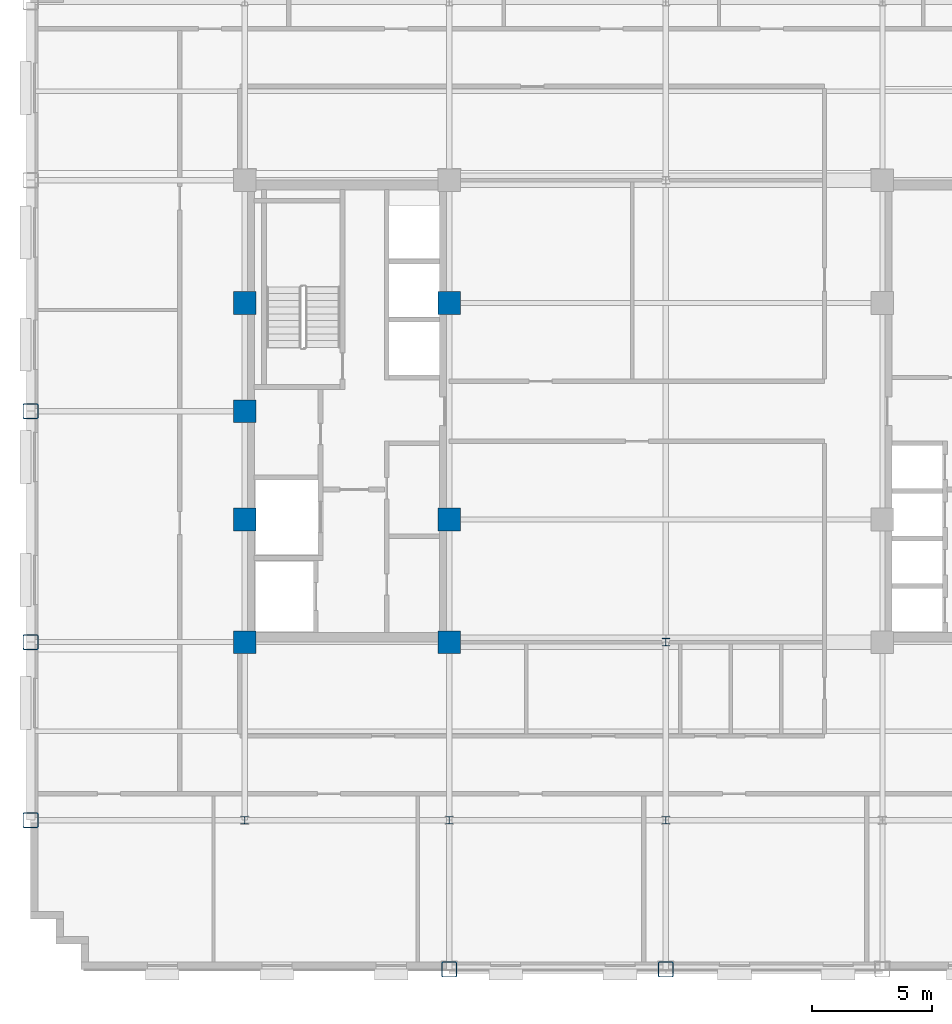
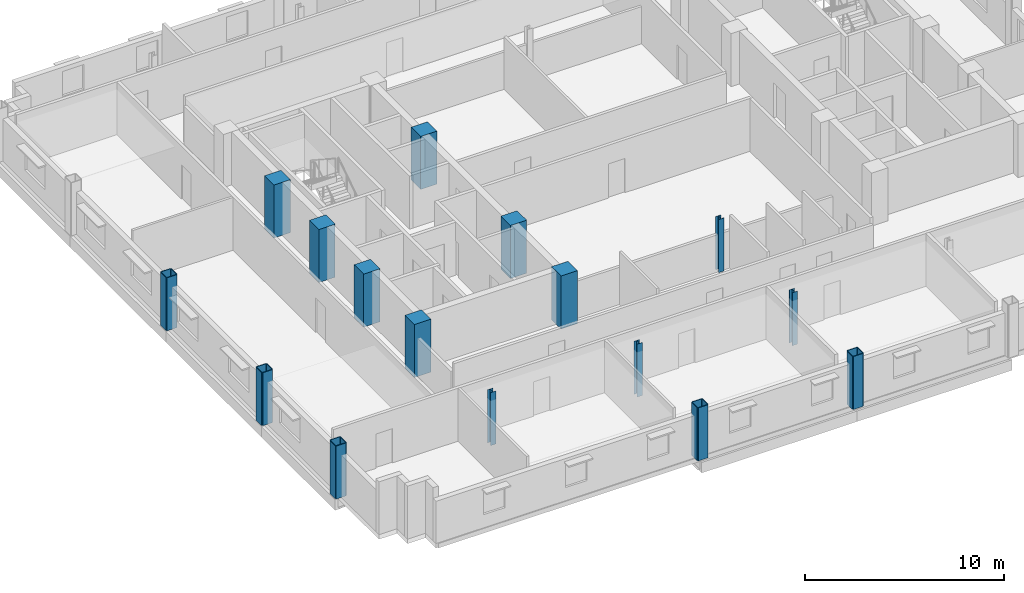
# One storey, part 1 of 14: 16 columns.
"""IFC4 building model written with IfcOpenShell, lengths in metres."""

import ifcopenshell
import ifcopenshell.guid

model = None  # the IFC model being written
_history = None  # IfcOwnerHistory: only IFC2X3 demands one
_inside = {}  # id of a spatial element -> (the spatial element, [elements in it])
_under = {}  # id of a project, library or spatial element -> (it, [spatial elements below it])
_declared = {}  # id of a project -> (the project, [libraries it declares])
_typed = {}  # id of a type object -> (the type object, [elements of that type])
_made_of = {}  # id of a material, layer set ... -> (it, [elements and type objects made of it])


def new_model(schema):
    """Start an empty IFC model of exactly this schema.

    Asked for "IFC4X3", IfcOpenShell would pick the latest addendum, in which some entities
    have other attributes; the version numbers below select the first issue.
    IFC2X3 requires an IfcOwnerHistory on every rooted entity: one is made here for all.
    """
    global model, _history
    if schema == "IFC4X3":
        model = ifcopenshell.file(schema_version=(4, 3, 0, 0))
    else:
        model = ifcopenshell.file(schema=schema)
    _inside.clear()
    _under.clear()
    _declared.clear()
    _typed.clear()
    _made_of.clear()
    _history = None
    if model.schema == "IFC2X3":
        org = make("IfcOrganization", Name="unknown")
        user = make(
            "IfcPersonAndOrganization",
            ThePerson=make("IfcPerson", FamilyName="unknown"),
            TheOrganization=org,
        )
        app = make(
            "IfcApplication",
            ApplicationDeveloper=org,
            Version="unknown",
            ApplicationFullName="unknown",
            ApplicationIdentifier="unknown",
        )
        _history = make(
            "IfcOwnerHistory",
            OwningUser=user,
            OwningApplication=app,
            ChangeAction="ADDED",
            CreationDate=0,
        )
    return model


def make(cls, **values):
    """One entity of the class cls with the attributes given. An attribute that is None is left unset."""
    return model.create_entity(
        cls, **{name: value for name, value in values.items() if value is not None}
    )


def rooted(cls, **values):
    """An entity with a GlobalId (a new one), such as an element, a storey or a relation."""
    return make(cls, GlobalId=ifcopenshell.guid.new(), OwnerHistory=_history, **values)


def si_unit(unit_type, name, prefix=None):
    """IfcSIUnit, for example si_unit("LENGTHUNIT", "METRE", prefix="MILLI")."""
    return make("IfcSIUnit", UnitType=unit_type, Prefix=prefix, Name=name)


def assignment(units):
    """IfcUnitAssignment: the units of a project."""
    return None if units is None else make("IfcUnitAssignment", Units=units)


def point(xyz):
    """IfcCartesianPoint."""
    return None if xyz is None else make("IfcCartesianPoint", Coordinates=xyz)


def direction(xyz):
    """IfcDirection."""
    return None if xyz is None else make("IfcDirection", DirectionRatios=xyz)


def frame(location, z_axis=None, x_axis=None):
    """IfcAxis2Placement3D, a coordinate frame: its origin and axes. An axis left out is left unset."""
    return make(
        "IfcAxis2Placement3D",
        Location=point(location),
        Axis=direction(z_axis),
        RefDirection=direction(x_axis),
    )


def frame_2d(location, x_axis=None):
    """IfcAxis2Placement2D, a coordinate frame in the plane: its origin and x axis."""
    return make(
        "IfcAxis2Placement2D", Location=point(location), RefDirection=direction(x_axis)
    )


def origin():
    """The frame at (0, 0, 0) with its axes left unset."""
    return frame((0.0, 0.0, 0.0))


def origin_2d():
    """The frame at (0, 0) in the plane with its x axis left unset."""
    return frame_2d((0.0, 0.0))


def place(relative_to, where):
    """IfcLocalPlacement: puts the frame where relative to a parent placement (None: the world)."""
    return make(
        "IfcLocalPlacement", PlacementRelTo=relative_to, RelativePlacement=where
    )


def context(
    kind, dimensions, precision=None, world=None, true_north=None, identifier=None
):
    """IfcGeometricRepresentationContext, for example the 3D "Model" context."""
    return make(
        "IfcGeometricRepresentationContext",
        ContextIdentifier=identifier,
        ContextType=kind,
        CoordinateSpaceDimension=dimensions,
        Precision=precision,
        WorldCoordinateSystem=world,
        TrueNorth=true_north,
    )


def subcontext(parent, identifier, kind, view, scale=None):
    """IfcGeometricRepresentationSubContext, for example "Body" below "Model"."""
    return make(
        "IfcGeometricRepresentationSubContext",
        ContextIdentifier=identifier,
        ContextType=kind,
        ParentContext=parent,
        TargetScale=scale,
        TargetView=view,
    )


def project(units=None, contexts=None):
    """IfcProject with its units and contexts."""
    return rooted(
        "IfcProject",
        Name="project",
        RepresentationContexts=contexts,
        UnitsInContext=assignment(units),
    )


def spatial(cls, under=None, at=None, **own):
    """A site, building, storey or space (cls), placed at a placement, below another one or the project."""
    s = rooted(cls, ObjectPlacement=at, **own)
    if under is not None:
        _under.setdefault(under.id(), (under, []))[1].append(s)
    return s


def profile(cls, at=None, kind="AREA", **sizes):
    """A parametric profile (cls). Its sizes go by their IFC names, for example OverallWidth=200.0."""
    return make(cls, ProfileType=kind, Position=at, **sizes)


def rectangle(**sizes):
    """IfcRectangleProfileDef."""
    return profile("IfcRectangleProfileDef", **sizes)


def hollow_rectangle(**sizes):
    """IfcRectangleHollowProfileDef."""
    return profile("IfcRectangleHollowProfileDef", **sizes)


def i_section(**sizes):
    """IfcIShapeProfileDef."""
    return profile("IfcIShapeProfileDef", **sizes)


def extrude(swept, where, along, depth):
    """IfcExtrudedAreaSolid: the profile swept, set in the frame where, extruded along a direction by depth."""
    return make(
        "IfcExtrudedAreaSolid",
        SweptArea=swept,
        Position=where,
        ExtrudedDirection=direction(along),
        Depth=depth,
    )


def shape(context_of_items, identifier, shape_type, items):
    """IfcShapeRepresentation: the items that make up one representation, for example the "Body"."""
    return make(
        "IfcShapeRepresentation",
        ContextOfItems=context_of_items,
        RepresentationIdentifier=identifier,
        RepresentationType=shape_type,
        Items=items,
    )


def material(Name=None, Category=None):
    """IfcMaterial."""
    return make("IfcMaterial", Name=Name, Category=Category)


def material_profile(
    of_material, cross_section, Name=None, Category=None, Priority=None
):
    """IfcMaterialProfile: a cross section and its material."""
    return make(
        "IfcMaterialProfile",
        Name=Name,
        Material=of_material,
        Profile=cross_section,
        Priority=Priority,
        Category=Category,
    )


def profile_set(profiles, Name=None, composite=None):
    """IfcMaterialProfileSet."""
    return make(
        "IfcMaterialProfileSet",
        Name=Name,
        MaterialProfiles=profiles,
        CompositeProfile=composite,
    )


def made_of(thing, what):
    """Note that an element or type object is made of a material, layer set ...; save() writes the relation."""
    if what is not None:
        _made_of.setdefault(what.id(), (what, []))[1].append(thing)
    return thing


def type_object(cls, material=None, **own):
    """A type object (cls), such as IfcWallType, which elements share."""
    return made_of(rooted(cls, **own), material)


def element(
    cls,
    number,
    at=None,
    inside=None,
    cuts=None,
    type_object=None,
    material=None,
    context=None,
    identifier="Body",
    shape_type=None,
    held_by="IfcProductDefinitionShape",
    body=None,
    shapes=None,
    **own,
):
    """One element of the class cls, such as IfcWall. Its Tag is "e" and its number.

    at: its placement. inside: the storey or other place that contains it. cuts: it is an
    opening in that element (IfcRelVoidsElement). A single representation is given by context,
    identifier, shape_type and body (its items); several are given by shapes. held_by: the class
    of the entity that holds the representations. save() writes the other relations.
    """
    e = rooted(cls, Tag="e%d" % number, ObjectPlacement=at, **own)
    if body is not None:
        shapes = [shape(context, identifier, shape_type, body)]
    if shapes is not None:
        e.Representation = make(held_by, Representations=shapes)
    if inside is not None:
        _inside.setdefault(inside.id(), (inside, []))[1].append(e)
    if cuts is not None:
        rooted(
            "IfcRelVoidsElement", RelatingBuildingElement=cuts, RelatedOpeningElement=e
        )
    if type_object is not None:
        _typed.setdefault(type_object.id(), (type_object, []))[1].append(e)
    return made_of(e, material)


def aggregate(whole, parts):
    """IfcRelAggregates: a whole, such as a stair, and the parts it consists of."""
    return rooted("IfcRelAggregates", RelatingObject=whole, RelatedObjects=parts)


def save(model, path):
    """Write the relations noted so far, then the file.

    IfcRelAggregates (storeys below a building ...), IfcRelContainedInSpatialStructure (elements
    in a storey), IfcRelDefinesByType, IfcRelAssociatesMaterial and IfcRelDeclares: one each for
    every whole, place, type object, material and project.
    """
    for whole, parts in _under.values():
        aggregate(whole, parts)
    for where, things in _inside.values():
        rooted(
            "IfcRelContainedInSpatialStructure",
            RelatedElements=things,
            RelatingStructure=where,
        )
    for kind, things in _typed.values():
        rooted("IfcRelDefinesByType", RelatedObjects=things, RelatingType=kind)
    for what, things in _made_of.values():
        rooted("IfcRelAssociatesMaterial", RelatedObjects=things, RelatingMaterial=what)
    for by, libraries in _declared.values():
        rooted("IfcRelDeclares", RelatingContext=by, RelatedDefinitions=libraries)
    model.write(path)


model = new_model("IFC4")

# Units and contexts
model_context = context("Model", 3, precision=1e-05, world=origin(), true_north=direction((0.0, 1.0)))
body_context = subcontext(model_context, "Body", "Model", "MODEL_VIEW")
ifc_project = project(units=[si_unit("LENGTHUNIT", "METRE"), si_unit("AREAUNIT", "SQUARE_METRE"), si_unit("VOLUMEUNIT", "CUBIC_METRE"), si_unit("PLANEANGLEUNIT", "RADIAN"), si_unit("MASSUNIT", "GRAM", prefix="KILO")], contexts=[model_context])

# Site, building, storey
site_placement = place(None, origin())
site = spatial("IfcSite", under=ifc_project, at=site_placement, CompositionType="ELEMENT")
building_placement = place(site_placement, origin())
building = spatial("IfcBuilding", under=site, at=building_placement, Name="Nuvemarco Arch Tower", CompositionType="ELEMENT")
storey_placement = place(building_placement, frame((0.0, 0.0, 182.25)))
storey = spatial("IfcBuildingStorey", under=building, at=storey_placement, Name="L48", CompositionType="ELEMENT", Elevation=182.25)

# Columns
ifc_material_1 = material(Name="Concrete C50/60", Category="concrete")
ifc_material_profile_1 = material_profile(ifc_material_1, rectangle(XDim=0.949951171875, YDim=0.949951171875, at=origin_2d()), Name="RC-COL-950x950")
ifc_profile_set_1 = profile_set([ifc_material_profile_1], Name="Concrete C50/60")
column_type_1 = type_object("IfcColumnType", Name="COL-CORE-950", PredefinedType="COLUMN", material=ifc_profile_set_1)
for number, where, z_axis, x_axis, name in (
    (1, (-17.5, -9.60009765625, 0.0), (0.0, 0.0, 1.0), (1.0, 0.0, 0.0), "L48 column CC_-17.5_-9.6"),
    (2, (-17.5, -4.5, 0.0), (0.0, 0.0, 1.0), (1.0, 0.0, 0.0), "L48 column CC_-17.5_-4.5"),
    (3, (-17.5, 4.5, 0.0), (0.0, 0.0, 1.0), (1.0, 0.0, 0.0), "L48 column CC_-17.5_+4.5"),
    (4, (-9.0, -9.60009765625, 0.0), (0.0, 0.0, 1.0), (1.0, 0.0, 0.0), "L48 column CC_-9.0_-9.6"),
    (5, (-9.0, -4.5, 0.0), (0.0, 0.0, 1.0), (1.0, 0.0, 0.0), "L48 column CC_-9.0_-4.5"),
    (6, (-9.0, 4.5, 0.0), (0.0, 0.0, 1.0), (1.0, 0.0, 0.0), "L48 column CC_-9.0_+4.5"),
    (7, (-17.5, 0.0, 0.0), (0.0, 0.0, 1.0), (1.0, 0.0, 0.0), "L48 column CC_-17.5_+0.0"),
):
    element("IfcColumn", number, at=place(storey_placement, frame(where, z_axis=z_axis, x_axis=x_axis)), inside=storey, type_object=column_type_1, Name=name, PredefinedType="COLUMN", context=body_context, shape_type="SweptSolid", body=[
        extrude(rectangle(XDim=0.949951171875, YDim=0.949951171875, at=origin_2d()), origin(), (0.0, 0.0, 1.0), 3.25),
    ])
ifc_material_2 = material(Name="Steel S355", Category="steel")
ifc_material_profile_2 = material_profile(ifc_material_2, hollow_rectangle(XDim=0.64990234375, YDim=0.64990234375, WallThickness=0.0400390625, InnerFilletRadius=0.0400390625, OuterFilletRadius=0.080078125, at=origin_2d()), Name="SHS650x650x40")
ifc_profile_set_2 = profile_set([ifc_material_profile_2], Name="Steel S355")
column_type_2 = type_object("IfcColumnType", Name="COL-EXO-650", PredefinedType="COLUMN", material=ifc_profile_set_2)
for number, where, z_axis, x_axis, name in (
    (8, (-26.39990234375, -17.0, 0.0), (0.0, 0.0, 1.0), (1.0, 0.0, 0.0), "L48 column CX_-26.4_-17.0"),
    (9, (-26.39990234375, -9.60009765625, 0.0), (0.0, 0.0, 1.0), (1.0, 0.0, 0.0), "L48 column CX_-26.4_-9.6"),
    (10, (-26.39990234375, 0.0, 0.0), (0.0, 0.0, 1.0), (1.0, 0.0, 0.0), "L48 column CX_-26.4_+0.0"),
    (11, (-9.0, -23.199951171875, 0.0), (0.0, 0.0, 1.0), (1.0, 0.0, 0.0), "L48 column CY_-9.0_-23.2"),
    (12, (0.0, -23.199951171875, 0.0), (0.0, 0.0, 1.0), (1.0, 0.0, 0.0), "L48 column CY_+0.0_-23.2"),
):
    element("IfcColumn", number, at=place(storey_placement, frame(where, z_axis=z_axis, x_axis=x_axis)), inside=storey, type_object=column_type_2, Name=name, PredefinedType="COLUMN", context=body_context, shape_type="SweptSolid", body=[
        extrude(hollow_rectangle(XDim=0.64990234375, YDim=0.64990234375, WallThickness=0.0400390625, InnerFilletRadius=0.0400390625, OuterFilletRadius=0.080078125, at=origin_2d()), origin(), (0.0, 0.0, 1.0), 3.25),
    ])
ifc_material_profile_3 = material_profile(ifc_material_2, i_section(OverallWidth=0.31005859375, OverallDepth=0.31005859375, WebThickness=0.015380859375, FlangeThickness=0.015380859375, FilletRadius=0.014892578125, at=origin_2d()), Name="HP310x110")
ifc_profile_set_3 = profile_set([ifc_material_profile_3], Name="Steel S355")
column_type_3 = type_object("IfcColumnType", Name="COL-STL-HP310", PredefinedType="COLUMN", material=ifc_profile_set_3)
for number, where, z_axis, x_axis, name in (
    (13, (0.0, -17.0, 0.0), (0.0, 0.0, 1.0), (1.0, 0.0, 0.0), "L48 column CI_+0.0_-17.0"),
    (14, (0.0, -9.60009765625, 0.0), (0.0, 0.0, 1.0), (1.0, 0.0, 0.0), "L48 column CI_+0.0_-9.6"),
    (15, (-17.5, -17.0, 0.0), (0.0, 0.0, 1.0), (1.0, 0.0, 0.0), "L48 column CI_-17.5_-17.0"),
    (16, (-9.0, -17.0, 0.0), (0.0, 0.0, 1.0), (1.0, 0.0, 0.0), "L48 column CI_-9.0_-17.0"),
):
    element("IfcColumn", number, at=place(storey_placement, frame(where, z_axis=z_axis, x_axis=x_axis)), inside=storey, type_object=column_type_3, Name=name, PredefinedType="COLUMN", context=body_context, shape_type="SweptSolid", body=[
        extrude(i_section(OverallWidth=0.31005859375, OverallDepth=0.31005859375, WebThickness=0.015380859375, FlangeThickness=0.015380859375, FilletRadius=0.014892578125, at=origin_2d()), origin(), (0.0, 0.0, 1.0), 3.25),
    ])

save(model, "model.ifc")
